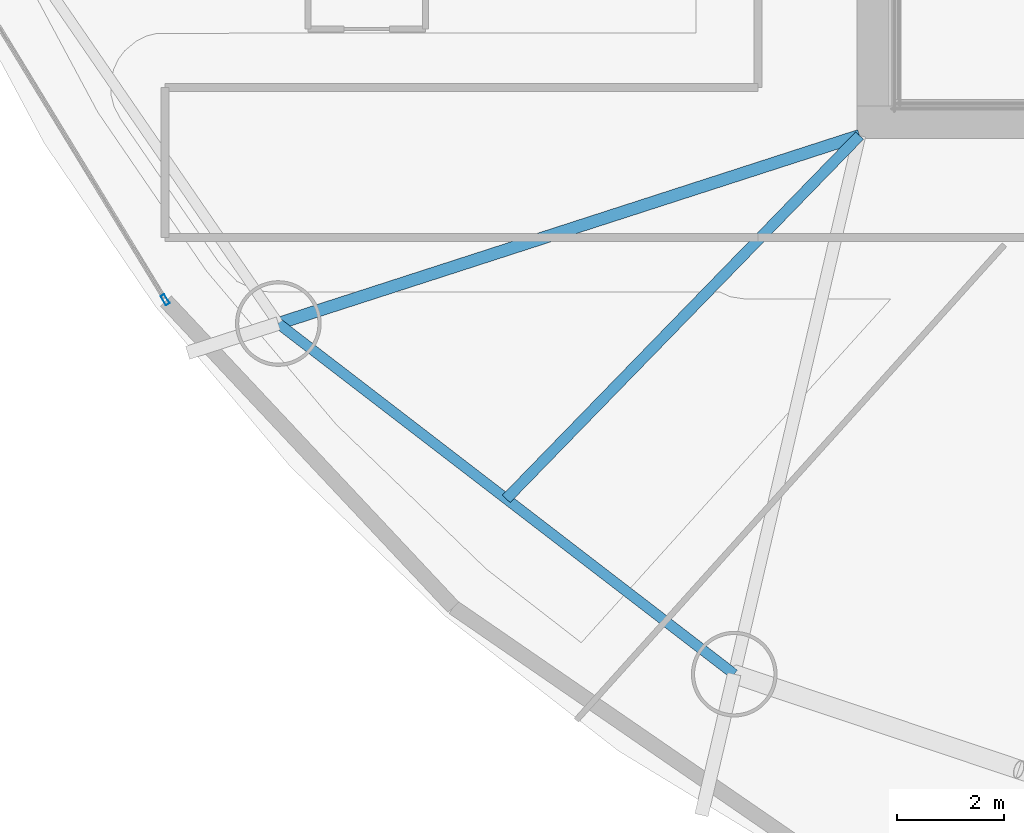
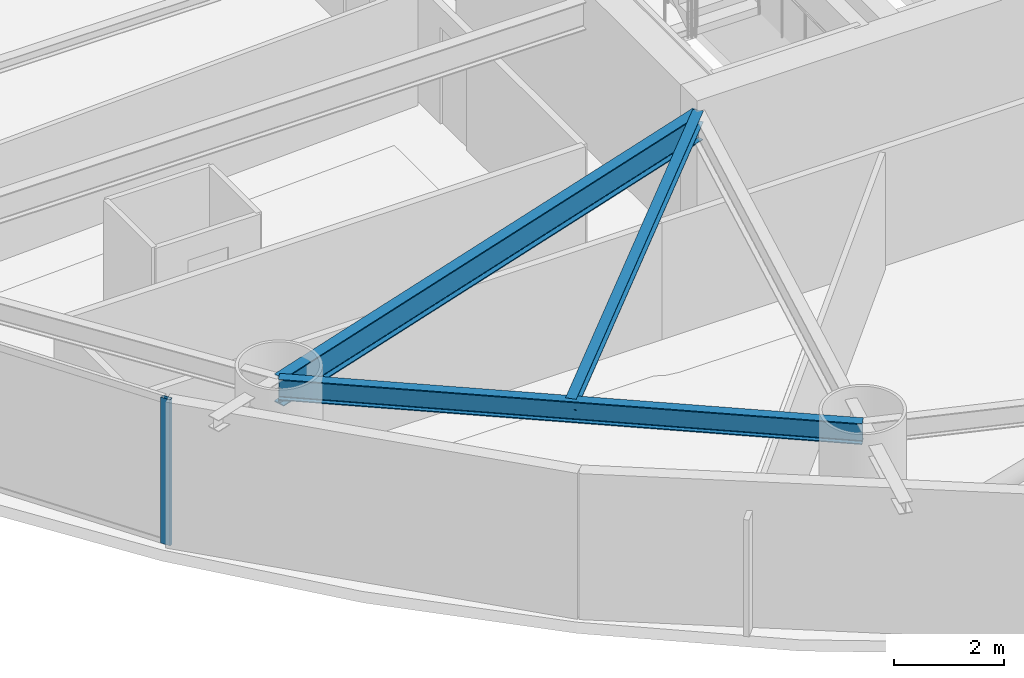
# One storey, part 2 of 30: 3 beams, 1 member, 1 element without a shape of its own.
"""IFC4 building model written with IfcOpenShell, lengths in metres."""

from ifc_helpers import new_model, si_unit, direction, frame, origin, origin_2d, place, context, subcontext, project, spatial, hollow_rectangle, i_section, extrude, material, layer, layer_set, material_profile, profile_set, type_object, element, aggregate, save


model = new_model("IFC4")

# Units and contexts
model_context = context("Model", 3, precision=1e-05, world=origin(), true_north=direction((0.0, 1.0)))
body_context = subcontext(model_context, "Body", "Model", "MODEL_VIEW")
ifc_project = project(units=[si_unit("LENGTHUNIT", "METRE"), si_unit("AREAUNIT", "SQUARE_METRE"), si_unit("VOLUMEUNIT", "CUBIC_METRE"), si_unit("PLANEANGLEUNIT", "RADIAN"), si_unit("MASSUNIT", "GRAM", prefix="KILO")], contexts=[model_context])

# Site, building, storey
site_placement = place(None, origin())
site = spatial("IfcSite", under=ifc_project, at=site_placement, CompositionType="ELEMENT")
building_placement = place(site_placement, origin())
building = spatial("IfcBuilding", under=site, at=building_placement, Name="Bramvorn Convention Spire", CompositionType="ELEMENT")
storey_placement = place(building_placement, frame((0.0, 0.0, 86.89990234375)))
storey = spatial("IfcBuildingStorey", under=building, at=storey_placement, Name="L20", CompositionType="ELEMENT", Elevation=86.89990234375)

# Beams
ifc_material_1 = material(Name="Steel CSA G40.21 Grade 350 (350W)", Category="steel")
ifc_material_profile_1 = material_profile(ifc_material_1, i_section(OverallWidth=0.201904296875, OverallDepth=0.2470703125, WebThickness=0.00732421875, FlangeThickness=0.010986328125, FilletRadius=0.011962890625, at=origin_2d()))
ifc_profile_set_1 = profile_set([ifc_material_profile_1], Name="Steel CSA G40.21 Grade 350 (350W) - W250X49")
beam_type_1 = type_object("IfcBeamType", Name="BM-W250X49", PredefinedType="JOIST", material=ifc_profile_set_1)
beam_1_placement = place(storey_placement, frame((26.75, 18.550048828125, 3.126708984375), z_axis=(-0.697157225069, -0.716918268378, 0.0), x_axis=(0.716918268378, -0.697157225069, 0.0)))
element("IfcBeam", 1, at=beam_1_placement, inside=storey, type_object=beam_type_1, Name="L20 composite floor joist 11", PredefinedType="JOIST", context=body_context, shape_type="SweptSolid", body=[
    extrude(i_section(OverallWidth=0.201904296875, OverallDepth=0.2470703125, WebThickness=0.00732421875, FlangeThickness=0.010986328125, FilletRadius=0.011962890625, at=origin_2d()), origin(), (0.0, 0.0, 1.0), 9.463623046875),
])
ifc_material_profile_2 = material_profile(ifc_material_1, i_section(OverallWidth=0.194091796875, OverallDepth=0.468994140625, WebThickness=0.0126953125, FlangeThickness=0.0205078125, FilletRadius=0.01806640625, at=origin_2d()))
ifc_profile_set_2 = profile_set([ifc_material_profile_2], Name="Steel CSA G40.21 Grade 350 (350W) - W460X106")
beam_type_2 = type_object("IfcBeamType", Name="BM-W460X106", PredefinedType="SPANDREL", material=ifc_profile_set_2)
beam_2_placement = place(storey_placement, frame((15.894775390625, 15.039794921875, 3.015625), z_axis=(0.792672990445, -0.609647053809, 0.0), x_axis=(0.609647053809, 0.792672990445, 0.0)))
element("IfcBeam", 2, at=beam_2_placement, inside=storey, type_object=beam_type_2, Name="L20 mega-column ring beam 11", PredefinedType="SPANDREL", context=body_context, shape_type="SweptSolid", body=[
    extrude(i_section(OverallWidth=0.194091796875, OverallDepth=0.468994140625, WebThickness=0.0126953125, FlangeThickness=0.0205078125, FilletRadius=0.01806640625, at=origin_2d()), origin(), (0.0, 0.0, 1.0), 10.741943359375),
])
ifc_material_profile_3 = material_profile(ifc_material_1, i_section(OverallWidth=0.22998046875, OverallDepth=0.616943359375, WebThickness=0.01318359375, FlangeThickness=0.022216796875, FilletRadius=0.02001953125, at=origin_2d()))
ifc_profile_set_3 = profile_set([ifc_material_profile_3], Name="Steel CSA G40.21 Grade 350 (350W) - W610X140")
beam_type_3 = type_object("IfcBeamType", Name="BM-W610X140", PredefinedType="BEAM", material=ifc_profile_set_3)
beam_3_placement = place(storey_placement, frame((26.75, 18.550048828125, 2.941650390625), z_axis=(-0.951488933275, -0.307682969719, 0.0), x_axis=(0.307682969719, -0.951488933275, 0.0)))
element("IfcBeam", 3, at=beam_3_placement, inside=storey, type_object=beam_type_3, Name="L20 radial floor girder MC11", PredefinedType="BEAM", context=body_context, shape_type="SweptSolid", body=[
    extrude(i_section(OverallWidth=0.22998046875, OverallDepth=0.616943359375, WebThickness=0.01318359375, FlangeThickness=0.022216796875, FilletRadius=0.02001953125, at=origin_2d()), origin(), (0.0, 0.0, 1.0), 11.40869140625),
])

# Curtain wall, member
ifc_material_2 = material(Name="Anodised Bronze Unitised Curtain Wall", Category="aluminium")
ifc_layer = layer(ifc_material_2, 0.179931640625)
ifc_layer_set = layer_set([ifc_layer], Name="Anodised Bronze Unitised Curtain Wall - CW-HTL-FRIT")
curtain_wall_type = type_object("IfcCurtainWallType", Name="CW-HTL-FRIT", PredefinedType="USERDEFINED", material=ifc_layer_set)
curtain_wall_placement = place(storey_placement, origin())
curtain_wall = element("IfcCurtainWall", 4, at=curtain_wall_placement, inside=storey, type_object=curtain_wall_type, Name="L20 fritted glass curtain wall 15", ObjectType="UNITISED CURTAIN WALL", PredefinedType="USERDEFINED")
ifc_material_3 = material(Name="Anodised Bronze Aluminium 6063-T6", Category="aluminium")
ifc_material_profile_4 = material_profile(ifc_material_3, hollow_rectangle(XDim=0.080078125, YDim=0.199951171875, WallThickness=0.00390625, InnerFilletRadius=0.0009765625, OuterFilletRadius=0.00390625, at=origin_2d()))
ifc_profile_set_4 = profile_set([ifc_material_profile_4], Name="Anodised Bronze Aluminium 6063-T6 - CWM80X200")
member_type = type_object("IfcMemberType", Name="CW-MUL-180", PredefinedType="MULLION", material=ifc_profile_set_4)
member_placement = place(storey_placement, frame((13.7802734375, 15.486083984375, 0.0), z_axis=(0.0, 0.0, 1.0), x_axis=(-0.854123391062, -0.520070411426, 0.0)))
member = element("IfcMember", 5, at=member_placement, type_object=member_type, Name="CW2 mullion 1", PredefinedType="MULLION", context=body_context, shape_type="SweptSolid", body=[
    extrude(hollow_rectangle(XDim=0.080078125, YDim=0.199951171875, WallThickness=0.00390625, InnerFilletRadius=0.0009765625, OuterFilletRadius=0.00390625, at=origin_2d()), origin(), (0.0, 0.0, 1.0), 3.25),
])
aggregate(curtain_wall, [member])

save(model, "model.ifc")
